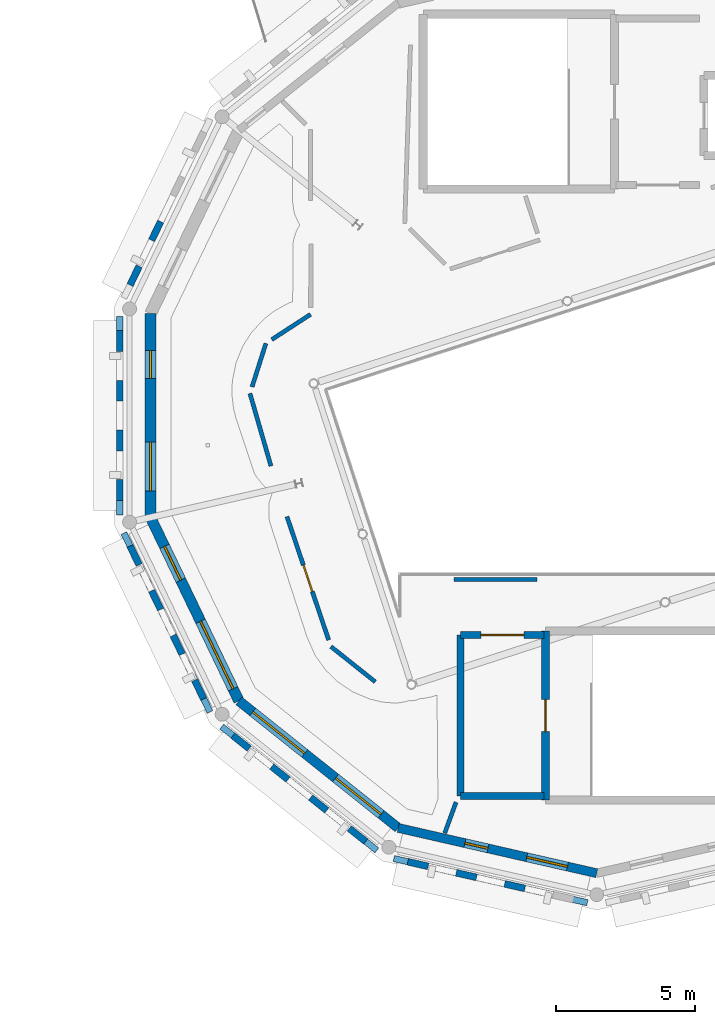
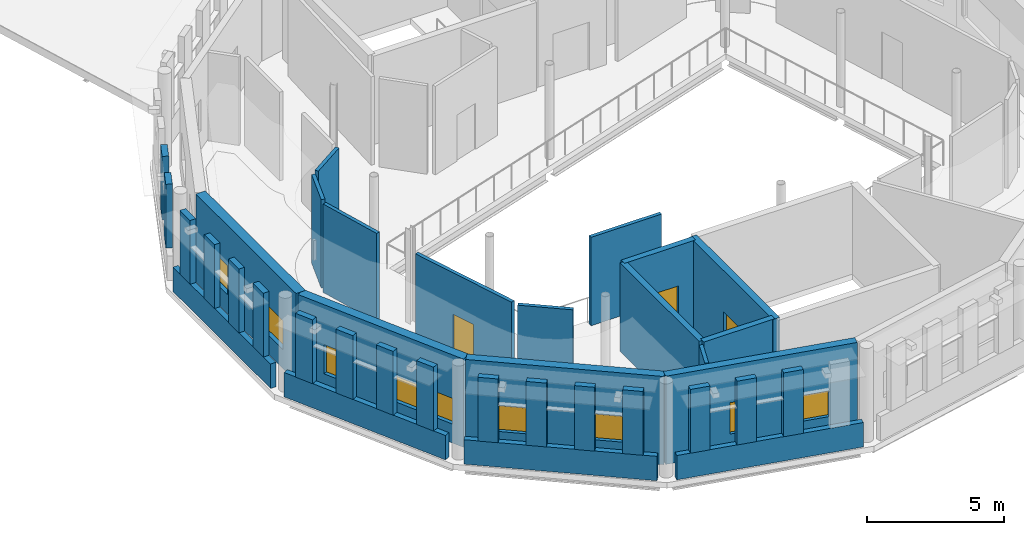
# One storey, part 35 of 68: 36 walls, 8 windows, 3 doors, 11 openings.
"""IFC4 building model written with IfcOpenShell, lengths in metres."""

from ifc_helpers import new_model, si_unit, direction, frame, frame_2d, origin, place, context, subcontext, project, spatial, rectangle, extrude, material, layer, layer_set, type_object, element, fill, save


model = new_model("IFC4")

# Units and contexts
model_context = context("Model", 3, precision=1e-05, world=origin(), true_north=direction((0.0, 1.0)))
body_context = subcontext(model_context, "Body", "Model", "MODEL_VIEW")
ifc_project = project(units=[si_unit("LENGTHUNIT", "METRE"), si_unit("AREAUNIT", "SQUARE_METRE"), si_unit("VOLUMEUNIT", "CUBIC_METRE"), si_unit("PLANEANGLEUNIT", "RADIAN"), si_unit("MASSUNIT", "GRAM", prefix="KILO")], contexts=[model_context])

# Site, building, storey
site_placement = place(None, origin())
site = spatial("IfcSite", under=ifc_project, at=site_placement, CompositionType="ELEMENT")
building_placement = place(site_placement, origin())
building = spatial("IfcBuilding", under=site, at=building_placement, Name="Wrenclough Park School", CompositionType="ELEMENT")
storey_placement = place(building_placement, frame((0.0, 0.0, 12.60009765625)))
storey = spatial("IfcBuildingStorey", under=building, at=storey_placement, Name="L03", CompositionType="ELEMENT", Elevation=12.60009765625)

# Walls
ifc_material_1 = material(Name="Perforated open-bond Staffordshire and Manchester brick screen pier", Category="masonry")
ifc_layer_1 = layer(ifc_material_1, 0.2451171875)
ifc_layer_set_1 = layer_set([ifc_layer_1], Name="Perforated open-bond Staffordshire and Manchester brick screen pier")
wall_type_1 = type_object("IfcWallType", Name="ENV-BS-PR245", PredefinedType="ELEMENTEDWALL", material=ifc_layer_set_1)
wall_1_placement = place(storey_placement, frame((20.802001953125, 30.484130859375, 1.08984375), z_axis=(0.0, 0.0, 1.0), x_axis=(-0.433884123593, -0.900968682749, 0.0)))
element("IfcWall", 1, at=wall_1_placement, inside=storey, type_object=wall_type_1, Name="D2 L03 perforated brick screen pier 0725", PredefinedType="ELEMENTEDWALL", context=body_context, shape_type="SweptSolid", body=[
    extrude(rectangle(XDim=0.75, YDim=0.2451171875, at=frame_2d((0.375, 0.0))), origin(), (0.0, 0.0, 1.0), 2.85009765625),
])
wall_2_placement = place(storey_placement, frame((20.02685546875, 28.87451171875, 1.08984375), z_axis=(0.0, 0.0, 1.0), x_axis=(-0.433756915576, -0.901029931906, 0.0)))
element("IfcWall", 2, at=wall_2_placement, inside=storey, type_object=wall_type_1, Name="D2 L03 perforated brick screen pier 0726", PredefinedType="ELEMENTEDWALL", context=body_context, shape_type="SweptSolid", body=[
    extrude(rectangle(XDim=0.750244140625, YDim=0.2451171875, at=frame_2d((0.375, 0.0))), origin(), (0.0, 0.0, 1.0), 2.85009765625),
])
for number, where, z_axis, x_axis, name in (
    (3, (19.326416015625, 26.5546875, 1.08984375), (0.0, 0.0, 1.0), (0.0, -1.0, 0.0), "D2 L03 perforated brick screen pier 0727"),
    (4, (19.326416015625, 24.768310546875, 1.08984375), (0.0, 0.0, 1.0), (0.0, -1.0, 0.0), "D2 L03 perforated brick screen pier 0728"),
    (5, (19.326416015625, 22.981689453125, 1.08984375), (0.0, 0.0, 1.0), (0.0, -1.0, 0.0), "D2 L03 perforated brick screen pier 0729"),
    (6, (19.326416015625, 21.1953125, 1.08984375), (0.0, 0.0, 1.0), (0.0, -1.0, 0.0), "D2 L03 perforated brick screen pier 0730"),
):
    element("IfcWall", number, at=place(storey_placement, frame(where, z_axis=z_axis, x_axis=x_axis)), inside=storey, type_object=wall_type_1, Name=name, PredefinedType="ELEMENTEDWALL", context=body_context, shape_type="SweptSolid", body=[
        extrude(rectangle(XDim=0.75, YDim=0.2451171875, at=frame_2d((0.375, 0.0))), origin(), (0.0, 0.0, 1.0), 2.85009765625),
    ])
wall_3_placement = place(storey_placement, frame((19.701416015625, 18.801513671875, 1.08984375), z_axis=(0.0, 0.0, 1.0), x_axis=(0.433756915576, -0.901029931906, 0.0)))
element("IfcWall", 7, at=wall_3_placement, inside=storey, type_object=wall_type_1, Name="D2 L03 perforated brick screen pier 0731", PredefinedType="ELEMENTEDWALL", context=body_context, shape_type="SweptSolid", body=[
    extrude(rectangle(XDim=0.750244140625, YDim=0.2451171875, at=frame_2d((0.375, 0.0))), origin(), (0.0, 0.0, 1.0), 2.85009765625),
])
for number, where, z_axis, x_axis, name in (
    (8, (20.4765625, 17.191650390625, 1.08984375), (0.0, 0.0, 1.0), (0.433884123593, -0.900968682749, 0.0), "D2 L03 perforated brick screen pier 0732"),
    (9, (21.251953125, 15.581787109375, 1.08984375), (0.0, 0.0, 1.0), (0.433884123593, -0.900968682749, 0.0), "D2 L03 perforated brick screen pier 0733"),
    (10, (22.027099609375, 13.97216796875, 1.08984375), (0.0, 0.0, 1.0), (0.433884123593, -0.900968682749, 0.0), "D2 L03 perforated brick screen pier 0734"),
    (11, (23.4033203125, 11.97802734375, 1.08984375), (0.0, 0.0, 1.0), (0.781915748527, -0.623384120912, 0.0), "D2 L03 perforated brick screen pier 0735"),
    (12, (24.80029296875, 10.864013671875, 1.08984375), (0.0, 0.0, 1.0), (0.781915748527, -0.623384120912, 0.0), "D2 L03 perforated brick screen pier 0736"),
):
    element("IfcWall", number, at=place(storey_placement, frame(where, z_axis=z_axis, x_axis=x_axis)), inside=storey, type_object=wall_type_1, Name=name, PredefinedType="ELEMENTEDWALL", context=body_context, shape_type="SweptSolid", body=[
        extrude(rectangle(XDim=0.75, YDim=0.2451171875, at=frame_2d((0.375, 0.0))), origin(), (0.0, 0.0, 1.0), 2.85009765625),
    ])
wall_4_placement = place(storey_placement, frame((26.197509765625, 9.75, 1.08984375), z_axis=(0.0, 0.0, 1.0), x_axis=(0.781789197913, -0.623542821326, 0.0)))
element("IfcWall", 13, at=wall_4_placement, inside=storey, type_object=wall_type_1, Name="D2 L03 perforated brick screen pier 0737", PredefinedType="ELEMENTEDWALL", context=body_context, shape_type="SweptSolid", body=[
    extrude(rectangle(XDim=0.749755859375, YDim=0.2451171875, at=frame_2d((0.375, 0.0))), origin(), (0.0, 0.0, 1.0), 2.85009765625),
])
wall_5_placement = place(storey_placement, frame((27.59423828125, 8.635986328125, 1.08984375), z_axis=(0.0, 0.0, 1.0), x_axis=(0.781757082545, -0.623583084994, 0.0)))
element("IfcWall", 14, at=wall_5_placement, inside=storey, type_object=wall_type_1, Name="D2 L03 perforated brick screen pier 0738", PredefinedType="ELEMENTEDWALL", context=body_context, shape_type="SweptSolid", body=[
    extrude(rectangle(XDim=0.750244140625, YDim=0.2451171875, at=frame_2d((0.375, 0.0))), origin(), (0.0, 0.0, 1.0), 2.85009765625),
])
for number, where, z_axis, x_axis, name in (
    (15, (29.69970703125, 7.436767578125, 1.08984375), (0.0, 0.0, 1.0), (0.974969505796, -0.222338621856, 0.0), "D2 L03 perforated brick screen pier 0739"),
    (16, (31.441650390625, 7.039306640625, 1.08984375), (0.0, 0.0, 1.0), (0.974898895053, -0.222648028119, 0.0), "D2 L03 perforated brick screen pier 0740"),
    (17, (33.18359375, 6.6416015625, 1.08984375), (0.0, 0.0, 1.0), (0.974898895053, -0.222648028119, 0.0), "D2 L03 perforated brick screen pier 0741"),
):
    element("IfcWall", number, at=place(storey_placement, frame(where, z_axis=z_axis, x_axis=x_axis)), inside=storey, type_object=wall_type_1, Name=name, PredefinedType="ELEMENTEDWALL", context=body_context, shape_type="SweptSolid", body=[
        extrude(rectangle(XDim=0.75, YDim=0.2451171875, at=frame_2d((0.375, 0.0))), origin(), (0.0, 0.0, 1.0), 2.85009765625),
    ])
ifc_material_2 = material(Name="Open-bond Manchester multi-stock brick spandrel screen", Category="masonry")
ifc_layer_2 = layer(ifc_material_2, 0.22509765625)
ifc_layer_set_2 = layer_set([ifc_layer_2], Name="Open-bond Manchester multi-stock brick spandrel screen")
wall_type_2 = type_object("IfcWallType", Name="ENV-BS-SP225", PredefinedType="ELEMENTEDWALL", material=ifc_layer_set_2)
wall_6_placement = place(storey_placement, frame((19.326416015625, 27.072998046875, 0.0), z_axis=(0.0, 0.0, 1.0), x_axis=(0.0, -1.0, 0.0)))
element("IfcWall", 18, at=wall_6_placement, inside=storey, type_object=wall_type_2, Name="D2 L03 open-bond brick screen spandrel 0195", PredefinedType="ELEMENTEDWALL", context=body_context, shape_type="SweptSolid", body=[
    extrude(rectangle(XDim=7.14599609375, YDim=0.22509765625, at=frame_2d((3.572998046875, 0.0))), origin(), (0.0, 0.0, 1.0), 1.08984375),
])
wall_7_placement = place(storey_placement, frame((19.4765625, 19.268310546875, 0.0), z_axis=(0.0, 0.0, 1.0), x_axis=(0.433882380434, -0.900969522209, 0.0)))
element("IfcWall", 19, at=wall_7_placement, inside=storey, type_object=wall_type_2, Name="D2 L03 open-bond brick screen spandrel 0196", PredefinedType="ELEMENTEDWALL", context=body_context, shape_type="SweptSolid", body=[
    extrude(rectangle(XDim=7.146728515625, YDim=0.22509765625, at=frame_2d((3.5732421875, 0.0))), origin(), (0.0, 0.0, 1.0), 1.08984375),
])
wall_8_placement = place(storey_placement, frame((22.998046875, 12.30126953125, 0.0), z_axis=(0.0, 0.0, 1.0), x_axis=(0.781840989125, -0.623477880702, 0.0)))
element("IfcWall", 20, at=wall_8_placement, inside=storey, type_object=wall_type_2, Name="D2 L03 open-bond brick screen spandrel 0197", PredefinedType="ELEMENTEDWALL", context=body_context, shape_type="SweptSolid", body=[
    extrude(rectangle(XDim=7.14697265625, YDim=0.22509765625, at=frame_2d((3.573486328125, 0.0))), origin(), (0.0, 0.0, 1.0), 1.08984375),
])
wall_9_placement = place(storey_placement, frame((29.194091796875, 7.55224609375, 0.0), z_axis=(0.0, 0.0, 1.0), x_axis=(0.974924394038, -0.222536347388, 0.0)))
element("IfcWall", 21, at=wall_9_placement, inside=storey, type_object=wall_type_2, Name="D2 L03 open-bond brick screen spandrel 0198", PredefinedType="ELEMENTEDWALL", context=body_context, shape_type="SweptSolid", body=[
    extrude(rectangle(XDim=7.1474609375, YDim=0.22509765625, at=frame_2d((3.57373046875, 0.0))), origin(), (0.0, 0.0, 1.0), 1.08984375),
])

# Wall, openings, windows
ifc_material_3 = material(Name="Manchester multi-stock brick and Concrete C32/40 inner leaf", Category="masonry")
ifc_layer_3 = layer(ifc_material_3, 0.324951171875)
ifc_layer_set_3 = layer_set([ifc_layer_3], Name="Manchester multi-stock brick and Concrete C32/40 inner leaf")
wall_type_3 = type_object("IfcWallType", Name="ENV-EW-325", PredefinedType="SOLIDWALL", material=ifc_layer_set_3)
wall_10_placement = place(storey_placement, frame((36.5, 7.023193359375, 0.0), z_axis=(0.0, 0.0, 1.0), x_axis=(-0.974932633187, 0.222500248868, 0.0)))
wall_10 = element("IfcWall", 22, at=wall_10_placement, inside=storey, type_object=wall_type_3, Name="L03 insulated brick external wall 0321", PredefinedType="SOLIDWALL", context=body_context, shape_type="SweptSolid", body=[
    extrude(rectangle(XDim=7.3330078125, YDim=0.324951171875, at=frame_2d((3.66650390625, 0.0))), origin(), (0.0, 0.0, 1.0), 3.93994140625),
])
opening_1_placement = place(wall_10_placement, frame((1.083251953125, 0.0, 0.85009765625)))
opening_1 = element("IfcOpeningElement", 23, at=opening_1_placement, cuts=wall_10, Name="Opening WN-38", PredefinedType="OPENING", context=body_context, shape_type="SweptSolid", body=[
    extrude(rectangle(XDim=1.5, YDim=1.14990234375, at=frame_2d((0.75, 0.574951171875))), frame((0.0, 0.17236328125, 0.0), z_axis=(0.0, -1.0, 0.0), x_axis=(1.0, 0.0, 0.0)), (0.0, 0.0, 1.0), 0.344970703125),
])
opening_2_placement = place(wall_10_placement, frame((4.0166015625, 0.0, 0.85009765625)))
opening_2 = element("IfcOpeningElement", 24, at=opening_2_placement, cuts=wall_10, Name="Opening WN-01", PredefinedType="OPENING", context=body_context, shape_type="SweptSolid", body=[
    extrude(rectangle(XDim=0.85009765625, YDim=1.39990234375, at=frame_2d((0.425048828125, 0.699951171875))), frame((0.0, 0.17236328125, 0.0), z_axis=(0.0, -1.0, 0.0), x_axis=(1.0, 0.0, 0.0)), (0.0, 0.0, 1.0), 0.344970703125),
])
ifc_material_4 = material(Name="Thermally broken aluminium and double-glazed low-e glass", Category="aluminium")
window_type_1 = type_object("IfcWindowType", Name="ENV-WN-01", PartitioningType="SINGLE_PANEL", PredefinedType="WINDOW", material=ifc_material_4)
window_1_placement = place(opening_2_placement, origin())
window_1 = element("IfcWindow", 25, at=window_1_placement, inside=storey, type_object=window_type_1, Name="L03 scheduled facade window 0542", OverallHeight=1.39990234375, OverallWidth=0.85009765625, PartitioningType="SINGLE_PANEL", PredefinedType="WINDOW", context=body_context, shape_type="SweptSolid", body=[
    extrude(rectangle(XDim=0.85009765625, YDim=1.39990234375, at=frame_2d((0.425048828125, 0.699951171875))), frame((0.0, 0.030029296875, 0.0), z_axis=(0.0, -1.0, 0.0), x_axis=(1.0, 0.0, 0.0)), (0.0, 0.0, 1.0), 0.06005859375),
])
fill(opening_2, window_1)
window_type_2 = type_object("IfcWindowType", Name="ENV-WN-38", PartitioningType="DOUBLE_PANEL_VERTICAL", PredefinedType="WINDOW", material=ifc_material_4)
window_2_placement = place(opening_1_placement, origin())
window_2 = element("IfcWindow", 26, at=window_2_placement, inside=storey, type_object=window_type_2, Name="L03 scheduled facade window 0541", OverallHeight=1.14990234375, OverallWidth=1.5, PartitioningType="SINGLE_PANEL", PredefinedType="WINDOW", context=body_context, shape_type="SweptSolid", body=[
    extrude(rectangle(XDim=1.5, YDim=1.14990234375, at=frame_2d((0.75, 0.574951171875))), frame((0.0, 0.030029296875, 0.0), z_axis=(0.0, -1.0, 0.0), x_axis=(1.0, 0.0, 0.0)), (0.0, 0.0, 1.0), 0.06005859375),
])
fill(opening_1, window_2)

ifc_material_5 = material(Name="Staffordshire blue-grey brick and Concrete C35/45 inner leaf", Category="masonry")
ifc_layer_4 = layer(ifc_material_5, 0.35009765625)
ifc_layer_set_4 = layer_set([ifc_layer_4], Name="Staffordshire blue-grey brick and Concrete C35/45 inner leaf")
wall_type_4 = type_object("IfcWallType", Name="ENV-EW-350", PredefinedType="SOLIDWALL", material=ifc_layer_set_4)
wall_11_placement = place(storey_placement, frame((29.350830078125, 8.65478515625, 0.0), z_axis=(0.0, 0.0, 1.0), x_axis=(-0.781819636461, 0.623504655992, 0.0)))
wall_11 = element("IfcWall", 27, at=wall_11_placement, inside=storey, type_object=wall_type_4, Name="L03 insulated brick external wall 0322", PredefinedType="SOLIDWALL", context=body_context, shape_type="SweptSolid", body=[
    extrude(rectangle(XDim=7.332763671875, YDim=0.35009765625, at=frame_2d((3.66650390625, 0.0))), origin(), (0.0, 0.0, 1.0), 3.93994140625),
])
opening_3_placement = place(wall_11_placement, frame((0.783203125, 0.0, 0.85009765625)))
opening_3 = element("IfcOpeningElement", 28, at=opening_3_placement, cuts=wall_11, Name="Opening WN-40", PredefinedType="OPENING", context=body_context, shape_type="SweptSolid", body=[
    extrude(rectangle(XDim=2.10009765625, YDim=1.14990234375, at=frame_2d((1.050048828125, 0.574951171875))), frame((0.0, 0.18505859375, 0.0), z_axis=(0.0, -1.0, 0.0), x_axis=(1.0, 0.0, 0.0)), (0.0, 0.0, 1.0), 0.3701171875),
])
opening_4_placement = place(wall_11_placement, frame((4.299560546875, 0.0, 0.85009765625)))
opening_4 = element("IfcOpeningElement", 29, at=opening_4_placement, cuts=wall_11, Name="Opening WN-41", PredefinedType="OPENING", context=body_context, shape_type="SweptSolid", body=[
    extrude(rectangle(XDim=2.39990234375, YDim=1.14990234375, at=frame_2d((1.199951171875, 0.574951171875))), frame((0.0, 0.18505859375, 0.0), z_axis=(0.0, -1.0, 0.0), x_axis=(1.0, 0.0, 0.0)), (0.0, 0.0, 1.0), 0.3701171875),
])
window_type_3 = type_object("IfcWindowType", Name="ENV-WN-40", PartitioningType="DOUBLE_PANEL_VERTICAL", PredefinedType="WINDOW", material=ifc_material_4)
window_3_placement = place(opening_3_placement, origin())
window_3 = element("IfcWindow", 30, at=window_3_placement, inside=storey, type_object=window_type_3, Name="L03 scheduled facade window 0543", OverallHeight=1.14990234375, OverallWidth=2.10009765625, PartitioningType="SINGLE_PANEL", PredefinedType="WINDOW", context=body_context, shape_type="SweptSolid", body=[
    extrude(rectangle(XDim=2.10009765625, YDim=1.14990234375, at=frame_2d((1.050048828125, 0.574951171875))), frame((0.0, 0.030029296875, 0.0), z_axis=(0.0, -1.0, 0.0), x_axis=(1.0, 0.0, 0.0)), (0.0, 0.0, 1.0), 0.06005859375),
])
fill(opening_3, window_3)
window_type_4 = type_object("IfcWindowType", Name="ENV-WN-41", PartitioningType="DOUBLE_PANEL_VERTICAL", PredefinedType="WINDOW", material=ifc_material_4)
window_4_placement = place(opening_4_placement, origin())
window_4 = element("IfcWindow", 31, at=window_4_placement, inside=storey, type_object=window_type_4, Name="L03 scheduled facade window 0544", OverallHeight=1.14990234375, OverallWidth=2.39990234375, PartitioningType="SINGLE_PANEL", PredefinedType="WINDOW", context=body_context, shape_type="SweptSolid", body=[
    extrude(rectangle(XDim=2.39990234375, YDim=1.14990234375, at=frame_2d((1.199951171875, 0.574951171875))), frame((0.0, 0.030029296875, 0.0), z_axis=(0.0, -1.0, 0.0), x_axis=(1.0, 0.0, 0.0)), (0.0, 0.0, 1.0), 0.06005859375),
])
fill(opening_4, window_4)

ifc_material_6 = material(Name="Manchester multi-stock brick and Concrete C35/45 inner leaf", Category="masonry")
ifc_layer_5 = layer(ifc_material_6, 0.3798828125)
ifc_layer_set_5 = layer_set([ifc_layer_5], Name="Manchester multi-stock brick and Concrete C35/45 inner leaf")
wall_type_5 = type_object("IfcWallType", Name="ENV-EW-380", PredefinedType="SOLIDWALL", material=ifc_layer_set_5)
wall_12_placement = place(storey_placement, frame((23.617919921875, 13.226806640625, 0.0), z_axis=(0.0, 0.0, 1.0), x_axis=(-0.433886691468, 0.900967446119, 0.0)))
wall_12 = element("IfcWall", 32, at=wall_12_placement, inside=storey, type_object=wall_type_5, Name="L03 insulated brick external wall 0323", PredefinedType="SOLIDWALL", context=body_context, shape_type="SweptSolid", body=[
    extrude(rectangle(XDim=7.332763671875, YDim=0.3798828125, at=frame_2d((3.66650390625, 0.0))), origin(), (0.0, 0.0, 1.0), 3.93994140625),
])
opening_5_placement = place(wall_12_placement, frame((0.4833984375, 0.0, 0.85009765625)))
opening_5 = element("IfcOpeningElement", 33, at=opening_5_placement, cuts=wall_12, Name="Opening WN-42", PredefinedType="OPENING", context=body_context, shape_type="SweptSolid", body=[
    extrude(rectangle(XDim=2.699951171875, YDim=1.14990234375, at=frame_2d((1.35009765625, 0.574951171875))), frame((0.0, 0.199951171875, 0.0), z_axis=(0.0, -1.0, 0.0), x_axis=(1.0, 0.0, 0.0)), (0.0, 0.0, 1.0), 0.39990234375),
])
opening_6_placement = place(wall_12_placement, frame((4.82470703125, 0.0, 0.85009765625)))
opening_6 = element("IfcOpeningElement", 34, at=opening_6_placement, cuts=wall_12, Name="Opening WN-43", PredefinedType="OPENING", context=body_context, shape_type="SweptSolid", body=[
    extrude(rectangle(XDim=1.35009765625, YDim=1.300048828125, at=frame_2d((0.675048828125, 0.64990234375))), frame((0.0, 0.199951171875, 0.0), z_axis=(0.0, -1.0, 0.0), x_axis=(1.0, 0.0, 0.0)), (0.0, 0.0, 1.0), 0.39990234375),
])
window_type_5 = type_object("IfcWindowType", Name="ENV-WN-42", PartitioningType="DOUBLE_PANEL_VERTICAL", PredefinedType="WINDOW", material=ifc_material_4)
window_5_placement = place(opening_5_placement, origin())
window_5 = element("IfcWindow", 35, at=window_5_placement, inside=storey, type_object=window_type_5, Name="L03 scheduled facade window 0545", OverallHeight=1.14990234375, OverallWidth=2.699951171875, PartitioningType="SINGLE_PANEL", PredefinedType="WINDOW", context=body_context, shape_type="SweptSolid", body=[
    extrude(rectangle(XDim=2.699951171875, YDim=1.14990234375, at=frame_2d((1.35009765625, 0.574951171875))), frame((0.0, 0.030029296875, 0.0), z_axis=(0.0, -1.0, 0.0), x_axis=(1.0, 0.0, 0.0)), (0.0, 0.0, 1.0), 0.06005859375),
])
fill(opening_5, window_5)
window_type_6 = type_object("IfcWindowType", Name="ENV-WN-43", PartitioningType="SINGLE_PANEL", PredefinedType="WINDOW", material=ifc_material_4)
window_6_placement = place(opening_6_placement, origin())
window_6 = element("IfcWindow", 36, at=window_6_placement, inside=storey, type_object=window_type_6, Name="L03 scheduled facade window 0546", OverallHeight=1.300048828125, OverallWidth=1.35009765625, PartitioningType="SINGLE_PANEL", PredefinedType="WINDOW", context=body_context, shape_type="SweptSolid", body=[
    extrude(rectangle(XDim=1.35009765625, YDim=1.300048828125, at=frame_2d((0.675048828125, 0.64990234375))), frame((0.0, 0.030029296875, 0.0), z_axis=(0.0, -1.0, 0.0), x_axis=(1.0, 0.0, 0.0)), (0.0, 0.0, 1.0), 0.06005859375),
])
fill(opening_6, window_6)

ifc_material_7 = material(Name="Staffordshire blue-grey brick and Concrete C40/50 acoustic leaf", Category="masonry")
ifc_layer_6 = layer(ifc_material_7, 0.39990234375)
ifc_layer_set_6 = layer_set([ifc_layer_6], Name="Staffordshire blue-grey brick and Concrete C40/50 acoustic leaf")
wall_type_6 = type_object("IfcWallType", Name="ENV-EW-400", PredefinedType="SOLIDWALL", material=ifc_layer_set_6)
wall_13_placement = place(storey_placement, frame((20.436279296875, 19.83349609375, 0.0), z_axis=(0.0, 0.0, 1.0), x_axis=(0.0, 1.0, 0.0)))
wall_13 = element("IfcWall", 37, at=wall_13_placement, inside=storey, type_object=wall_type_6, Name="L03 insulated brick external wall 0324", PredefinedType="SOLIDWALL", context=body_context, shape_type="SweptSolid", body=[
    extrude(rectangle(XDim=7.3330078125, YDim=0.39990234375, at=frame_2d((3.66650390625, 0.0))), origin(), (0.0, 0.0, 1.0), 3.93994140625),
])
opening_7_placement = place(wall_13_placement, frame((0.958251953125, 0.0, 0.85009765625)))
opening_7 = element("IfcOpeningElement", 38, at=opening_7_placement, cuts=wall_13, Name="Opening WN-44", PredefinedType="OPENING", context=body_context, shape_type="SweptSolid", body=[
    extrude(rectangle(XDim=1.75, YDim=1.300048828125, at=frame_2d((0.875, 0.64990234375))), frame((0.0, 0.2099609375, 0.0), z_axis=(0.0, -1.0, 0.0), x_axis=(1.0, 0.0, 0.0)), (0.0, 0.0, 1.0), 0.419921875),
])
opening_8_placement = place(wall_13_placement, frame((4.999755859375, 0.0, 0.85009765625)))
opening_8 = element("IfcOpeningElement", 39, at=opening_8_placement, cuts=wall_13, Name="Opening WN-45", PredefinedType="OPENING", context=body_context, shape_type="SweptSolid", body=[
    extrude(rectangle(XDim=1.0, YDim=1.300048828125, at=frame_2d((0.5, 0.64990234375))), frame((0.0, 0.2099609375, 0.0), z_axis=(0.0, -1.0, 0.0), x_axis=(1.0, 0.0, 0.0)), (0.0, 0.0, 1.0), 0.419921875),
])
window_type_7 = type_object("IfcWindowType", Name="ENV-WN-44", PartitioningType="DOUBLE_PANEL_VERTICAL", PredefinedType="WINDOW", material=ifc_material_4)
window_7_placement = place(opening_7_placement, origin())
window_7 = element("IfcWindow", 40, at=window_7_placement, inside=storey, type_object=window_type_7, Name="L03 scheduled facade window 0547", OverallHeight=1.300048828125, OverallWidth=1.75, PartitioningType="SINGLE_PANEL", PredefinedType="WINDOW", context=body_context, shape_type="SweptSolid", body=[
    extrude(rectangle(XDim=1.75, YDim=1.300048828125, at=frame_2d((0.875, 0.64990234375))), frame((0.0, 0.030029296875, 0.0), z_axis=(0.0, -1.0, 0.0), x_axis=(1.0, 0.0, 0.0)), (0.0, 0.0, 1.0), 0.06005859375),
])
fill(opening_7, window_7)
window_type_8 = type_object("IfcWindowType", Name="ENV-WN-45", PartitioningType="SINGLE_PANEL", PredefinedType="WINDOW", material=ifc_material_4)
window_8_placement = place(opening_8_placement, origin())
window_8 = element("IfcWindow", 41, at=window_8_placement, inside=storey, type_object=window_type_8, Name="L03 scheduled facade window 0548", OverallHeight=1.300048828125, OverallWidth=1.0, PartitioningType="SINGLE_PANEL", PredefinedType="WINDOW", context=body_context, shape_type="SweptSolid", body=[
    extrude(rectangle(XDim=1.0, YDim=1.300048828125, at=frame_2d((0.5, 0.64990234375))), frame((0.0, 0.030029296875, 0.0), z_axis=(0.0, -1.0, 0.0), x_axis=(1.0, 0.0, 0.0)), (0.0, 0.0, 1.0), 0.06005859375),
])
fill(opening_8, window_8)

# Wall
ifc_material_8 = material(Name="Concrete C35/45", Category="concrete")
ifc_layer_7 = layer(ifc_material_8, 0.25)
ifc_layer_set_7 = layer_set([ifc_layer_7], Name="Concrete C35/45")
wall_type_7 = type_object("IfcWallType", Name="INT-CW-250", PredefinedType="SHEAR", material=ifc_layer_set_7)
wall_14_placement = place(storey_placement, frame((31.60009765625, 9.800048828125, 0.0), z_axis=(0.0, 0.0, 1.0), x_axis=(1.0, 0.0, 0.0)))
element("IfcWall", 42, at=wall_14_placement, inside=storey, type_object=wall_type_7, Name="Core C2B L03 lobby fire wall south", PredefinedType="SHEAR", context=body_context, shape_type="SweptSolid", body=[
    extrude(rectangle(XDim=3.0, YDim=0.25, at=frame_2d((1.5, 0.0))), origin(), (0.0, 0.0, 1.0), 3.949951171875),
])

# Wall, opening, door
wall_15_placement = place(storey_placement, frame((34.60009765625, 15.60009765625, 0.0), z_axis=(0.0, 0.0, 1.0), x_axis=(-1.0, 0.0, 0.0)))
wall_15 = element("IfcWall", 43, at=wall_15_placement, inside=storey, type_object=wall_type_7, Name="Core C2B L03 lobby fire wall north", PredefinedType="SHEAR", context=body_context, shape_type="SweptSolid", body=[
    extrude(rectangle(XDim=3.0, YDim=0.25, at=frame_2d((1.5, 0.0))), origin(), (0.0, 0.0, 1.0), 3.949951171875),
])
opening_9_placement = place(wall_15_placement, frame((0.72509765625, 0.0, 0.0)))
opening_9 = element("IfcOpeningElement", 44, at=opening_9_placement, cuts=wall_15, Name="Opening DLB-C2B-L03", PredefinedType="OPENING", context=body_context, shape_type="SweptSolid", body=[
    extrude(rectangle(XDim=1.550048828125, YDim=2.14990234375, at=frame_2d((0.77490234375, 1.074951171875))), frame((0.0, 0.135009765625, 0.0), z_axis=(0.0, -1.0, 0.0), x_axis=(1.0, 0.0, 0.0)), (0.0, 0.0, 1.0), 0.27001953125),
])
ifc_material_9 = material(Name="Protected stair lobby double fire door assembly", Category="wood")
door_type_1 = type_object("IfcDoorType", Name="INT-DR-LB155", OperationType="NOTDEFINED", PredefinedType="DOOR", material=ifc_material_9)
door_1_placement = place(opening_9_placement, origin())
door_1 = element("IfcDoor", 45, at=door_1_placement, inside=storey, type_object=door_type_1, Name="Core C2B L03 protected lobby fire door", OperationType="DOUBLE_DOOR_SINGLE_SWING", OverallHeight=2.14990234375, OverallWidth=1.550048828125, PredefinedType="DOOR", context=body_context, shape_type="SweptSolid", body=[
    extrude(rectangle(XDim=1.550048828125, YDim=2.14990234375, at=frame_2d((0.77490234375, 1.074951171875))), frame((0.0, 0.02490234375, 0.0), z_axis=(0.0, -1.0, 0.0), x_axis=(1.0, 0.0, 0.0)), (0.0, 0.0, 1.0), 0.050048828125),
])
fill(opening_9, door_1)

# Wall
wall_16_placement = place(storey_placement, frame((31.60009765625, 15.60009765625, 0.0), z_axis=(0.0, 0.0, 1.0), x_axis=(0.0, -1.0, 0.0)))
element("IfcWall", 46, at=wall_16_placement, inside=storey, type_object=wall_type_7, Name="Core C2B L03 lobby fire wall west", PredefinedType="SHEAR", context=body_context, shape_type="SweptSolid", body=[
    extrude(rectangle(XDim=5.800048828125, YDim=0.25, at=frame_2d((2.89990234375, 0.0))), origin(), (0.0, 0.0, 1.0), 3.949951171875),
])

# Wall, opening, door
ifc_material_10 = material(Name="Concrete C40/50", Category="concrete")
ifc_layer_8 = layer(ifc_material_10, 0.2900390625)
ifc_layer_set_8 = layer_set([ifc_layer_8], Name="Concrete C40/50")
wall_type_8 = type_object("IfcWallType", Name="INT-CW-290", PredefinedType="SHEAR", material=ifc_layer_set_8)
wall_17_placement = place(storey_placement, frame((34.655029296875, 15.7451171875, 0.0), z_axis=(0.0, 0.0, 1.0), x_axis=(0.0, -1.0, 0.0)))
wall_17 = element("IfcWall", 47, at=wall_17_placement, inside=storey, type_object=wall_type_8, Name="Core C2B L03 west shear wall", PredefinedType="SHEAR", context=body_context, shape_type="SweptSolid", body=[
    extrude(rectangle(XDim=6.090087890625, YDim=0.2900390625, at=frame_2d((3.044921875, 0.0))), origin(), (0.0, 0.0, 1.0), 3.949951171875),
])
opening_10_placement = place(wall_17_placement, frame((2.469970703125, 0.0, 0.0)))
opening_10 = element("IfcOpeningElement", 48, at=opening_10_placement, cuts=wall_17, Name="Opening DST-C2B-L03", PredefinedType="OPENING", context=body_context, shape_type="SweptSolid", body=[
    extrude(rectangle(XDim=1.14990234375, YDim=2.10009765625, at=frame_2d((0.574951171875, 1.050048828125))), frame((0.0, 0.155029296875, 0.0), z_axis=(0.0, -1.0, 0.0), x_axis=(1.0, 0.0, 0.0)), (0.0, 0.0, 1.0), 0.31005859375),
])
ifc_material_11 = material(Name="Protected escape stair single fire door assembly", Category="wood")
door_type_2 = type_object("IfcDoorType", Name="INT-DR-ST115", OperationType="NOTDEFINED", PredefinedType="DOOR", material=ifc_material_11)
door_2_placement = place(opening_10_placement, origin())
door_2 = element("IfcDoor", 49, at=door_2_placement, inside=storey, type_object=door_type_2, Name="Stair ST-13 L03 fire door", OperationType="SINGLE_SWING_RIGHT", OverallHeight=2.10009765625, OverallWidth=1.14990234375, PredefinedType="DOOR", context=body_context, shape_type="SweptSolid", body=[
    extrude(rectangle(XDim=1.14990234375, YDim=2.10009765625, at=frame_2d((0.574951171875, 1.050048828125))), frame((0.0, 0.02490234375, 0.0), z_axis=(0.0, -1.0, 0.0), x_axis=(1.0, 0.0, 0.0)), (0.0, 0.0, 1.0), 0.050048828125),
])
fill(opening_10, door_2)

# Walls
ifc_material_12 = material(Name="Protected corridor partition", Category="gypsum")
ifc_layer_9 = layer(ifc_material_12, 0.14990234375)
ifc_layer_set_9 = layer_set([ifc_layer_9], Name="Protected corridor partition")
wall_type_9 = type_object("IfcWallType", Name="INT-PW-150", PredefinedType="PARTITIONING", material=ifc_layer_set_9)
wall_18_placement = place(storey_placement, frame((31.027587890625, 8.46435546875, 0.0), z_axis=(0.0, 0.0, 1.0), x_axis=(0.341957686727, 0.939715350778, 0.0)))
element("IfcWall", 50, at=wall_18_placement, inside=storey, type_object=wall_type_9, Name="L03 internal partition 0441", PredefinedType="PARTITIONING", context=body_context, shape_type="SweptSolid", body=[
    extrude(rectangle(XDim=1.187255859375, YDim=0.14990234375, at=frame_2d((0.59375, 0.0))), origin(), (0.0, 0.0, 1.0), 3.949951171875),
])
wall_19_placement = place(storey_placement, frame((34.3525390625, 17.60009765625, 0.0), z_axis=(0.0, 0.0, 1.0), x_axis=(-1.0, 0.0, 0.0)))
element("IfcWall", 51, at=wall_19_placement, inside=storey, type_object=wall_type_9, Name="L03 internal partition 0442", PredefinedType="PARTITIONING", context=body_context, shape_type="SweptSolid", body=[
    extrude(rectangle(XDim=2.98583984375, YDim=0.14990234375, at=frame_2d((1.492919921875, 0.0))), origin(), (0.0, 0.0, 1.0), 3.949951171875),
])
wall_20_placement = place(storey_placement, frame((28.52587890625, 13.913818359375, 0.0), z_axis=(0.0, 0.0, 1.0), x_axis=(-0.782746940471, 0.622340121785, 0.0)))
element("IfcWall", 52, at=wall_20_placement, inside=storey, type_object=wall_type_9, Name="L03 internal partition 0443", PredefinedType="PARTITIONING", context=body_context, shape_type="SweptSolid", body=[
    extrude(rectangle(XDim=2.0380859375, YDim=0.14990234375, at=frame_2d((1.01904296875, 0.0))), origin(), (0.0, 0.0, 1.0), 3.949951171875),
])

# Wall, opening, door
wall_21_placement = place(storey_placement, frame((26.8505859375, 15.418701171875, 0.0), z_axis=(0.0, 0.0, 1.0), x_axis=(-0.320301505596, 0.947315652522, 0.0)))
wall_21 = element("IfcWall", 53, at=wall_21_placement, inside=storey, type_object=wall_type_9, Name="L03 internal partition 0444", PredefinedType="PARTITIONING", context=body_context, shape_type="SweptSolid", body=[
    extrude(rectangle(XDim=4.689208984375, YDim=0.14990234375, at=frame_2d((2.3447265625, 0.0))), origin(), (0.0, 0.0, 1.0), 3.949951171875),
])
opening_11_placement = place(wall_21_placement, frame((1.844482421875, 0.0, 0.0)))
opening_11 = element("IfcOpeningElement", 54, at=opening_11_placement, cuts=wall_21, Name="Opening DR-L03-088", PredefinedType="OPENING", context=body_context, shape_type="SweptSolid", body=[
    extrude(rectangle(XDim=1.0, YDim=2.10009765625, at=frame_2d((0.5, 1.050048828125))), frame((0.0, 0.0849609375, 0.0), z_axis=(0.0, -1.0, 0.0), x_axis=(1.0, 0.0, 0.0)), (0.0, 0.0, 1.0), 0.169921875),
])
ifc_material_13 = material(Name="Humanities classroom vision door assembly", Category="wood")
door_type_3 = type_object("IfcDoorType", Name="INT-DR-CL100", OperationType="NOTDEFINED", PredefinedType="DOOR", material=ifc_material_13)
door_3_placement = place(opening_11_placement, origin())
door_3 = element("IfcDoor", 55, at=door_3_placement, inside=storey, type_object=door_type_3, Name="Theatre Lighting Classroom door DR-L03-088", OperationType="SINGLE_SWING_LEFT", OverallHeight=2.10009765625, OverallWidth=1.0, PredefinedType="DOOR", context=body_context, shape_type="SweptSolid", body=[
    extrude(rectangle(XDim=1.0, YDim=2.10009765625, at=frame_2d((0.5, 1.050048828125))), frame((0.0, 0.02490234375, 0.0), z_axis=(0.0, -1.0, 0.0), x_axis=(1.0, 0.0, 0.0)), (0.0, 0.0, 1.0), 0.050048828125),
])
fill(opening_11, door_3)

# Walls
wall_22_placement = place(storey_placement, frame((24.771728515625, 21.68212890625, 0.0), z_axis=(0.0, 0.0, 1.0), x_axis=(-0.277885844722, 0.96061410426, 0.0)))
element("IfcWall", 56, at=wall_22_placement, inside=storey, type_object=wall_type_9, Name="L03 internal partition 0445", PredefinedType="PARTITIONING", context=body_context, shape_type="SweptSolid", body=[
    extrude(rectangle(XDim=2.71923828125, YDim=0.14990234375, at=frame_2d((1.359619140625, 0.0))), origin(), (0.0, 0.0, 1.0), 3.949951171875),
])
wall_23_placement = place(storey_placement, frame((24.092041015625, 24.5322265625, 0.0), z_axis=(0.0, 0.0, 1.0), x_axis=(0.302952082364, 0.953005790009, 0.0)))
element("IfcWall", 57, at=wall_23_placement, inside=storey, type_object=wall_type_9, Name="L03 internal partition 0446", PredefinedType="PARTITIONING", context=body_context, shape_type="SweptSolid", body=[
    extrude(rectangle(XDim=1.642333984375, YDim=0.14990234375, at=frame_2d((0.8212890625, 0.0))), origin(), (0.0, 0.0, 1.0), 3.949951171875),
])
wall_24_placement = place(storey_placement, frame((24.79931640625, 26.2333984375, 0.0), z_axis=(0.0, 0.0, 1.0), x_axis=(0.838780833137, 0.54446920387, 0.0)))
element("IfcWall", 58, at=wall_24_placement, inside=storey, type_object=wall_type_9, Name="L03 internal partition 0447", PredefinedType="PARTITIONING", context=body_context, shape_type="SweptSolid", body=[
    extrude(rectangle(XDim=1.669921875, YDim=0.14990234375, at=frame_2d((0.8349609375, 0.0))), origin(), (0.0, 0.0, 1.0), 3.949951171875),
])

save(model, "model.ifc")
